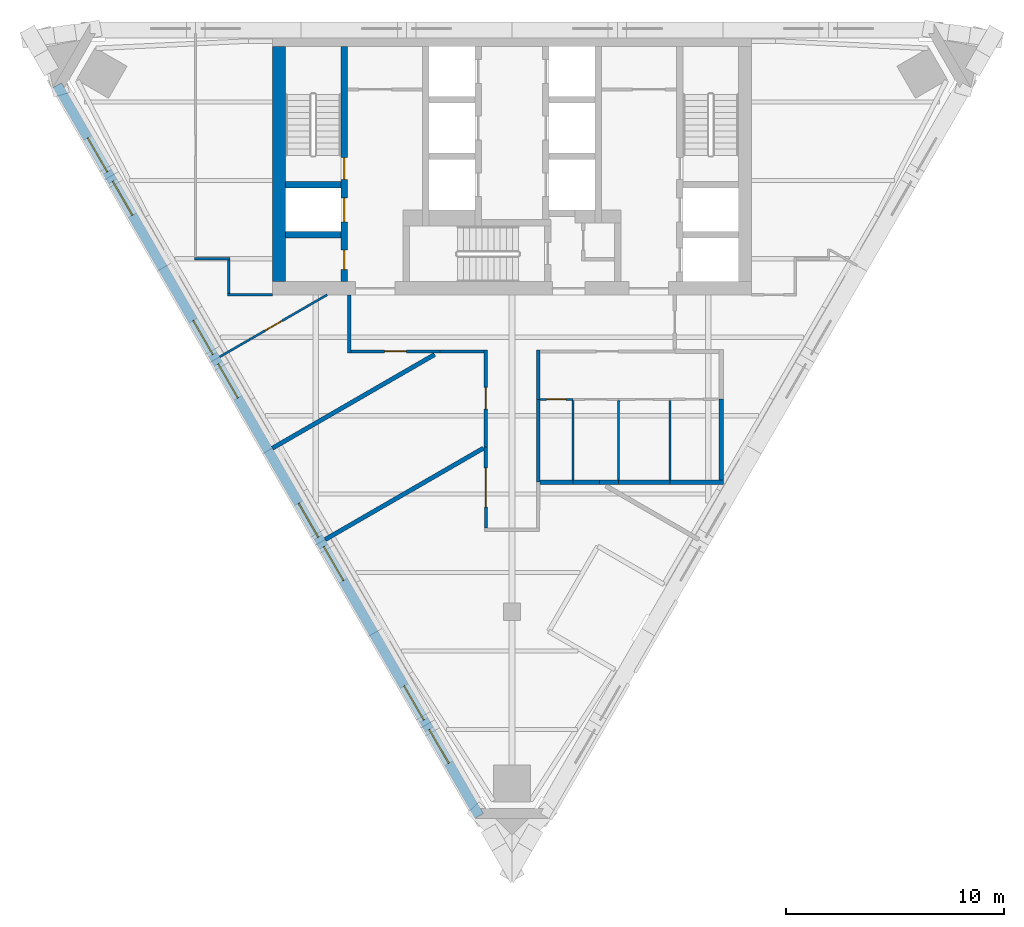
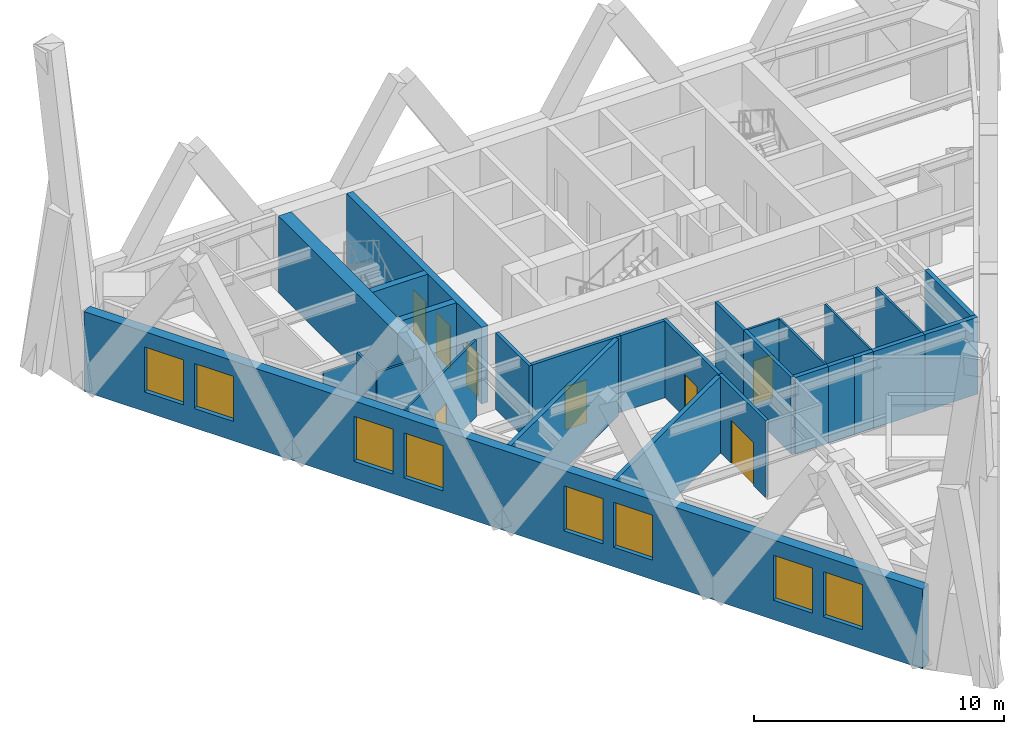
# One storey, part 3 of 7: 28 walls, 8 doors, 8 windows, 16 openings.
"""IFC4 building model written with IfcOpenShell, lengths in metres."""

from ifc_helpers import new_model, si_unit, direction, frame, frame_2d, origin, place, context, subcontext, project, spatial, polyline, rectangle, outline, extrude, material, layer, layer_set, type_object, element, fill, save


model = new_model("IFC4")

# Units and contexts
model_context = context("Model", 3, precision=1e-05, world=origin(), true_north=direction((0.0, 1.0)))
body_context = subcontext(model_context, "Body", "Model", "MODEL_VIEW")
ifc_project = project(units=[si_unit("LENGTHUNIT", "METRE"), si_unit("AREAUNIT", "SQUARE_METRE"), si_unit("VOLUMEUNIT", "CUBIC_METRE"), si_unit("PLANEANGLEUNIT", "RADIAN"), si_unit("MASSUNIT", "GRAM", prefix="KILO")], contexts=[model_context])

# Site, building, storey
site_placement = place(None, origin())
site = spatial("IfcSite", under=ifc_project, at=site_placement, CompositionType="ELEMENT")
building_placement = place(site_placement, origin())
building = spatial("IfcBuilding", under=site, at=building_placement, Name="Aloe Facet Convention Tower", CompositionType="ELEMENT")
storey_placement = place(building_placement, frame((0.0, 0.0, 211.39990234375)))
storey = spatial("IfcBuildingStorey", under=building, at=storey_placement, Name="L53", CompositionType="ELEMENT", Elevation=211.39990234375)

# Walls
ifc_material_1 = material(Name="Concrete C50/60", Category="concrete")
ifc_layer_1 = layer(ifc_material_1, 0.300048828125)
ifc_layer_set_1 = layer_set([ifc_layer_1], Name="CR-W-RC300-C5060")
wall_type_1 = type_object("IfcWallType", Name="CR-W-RC300-C5060", PredefinedType="SOLIDWALL", material=ifc_layer_set_1)
for number, where, z_axis, x_axis, name in (
    (1, (69.60009765625, 127.60009765625, 0.0), (0.0, 0.0, 1.0), (1.0, 0.0, 0.0), "Core wall L53-004"),
    (2, (69.60009765625, 125.300048828125, 0.0), (0.0, 0.0, 1.0), (1.0, 0.0, 0.0), "Core wall L53-005"),
):
    element("IfcWall", number, at=place(storey_placement, frame(where, z_axis=z_axis, x_axis=x_axis)), inside=storey, type_object=wall_type_1, Name=name, PredefinedType="SOLIDWALL", context=body_context, shape_type="SweptSolid", body=[
        extrude(rectangle(XDim=2.5498046875, YDim=0.300048828125, at=frame_2d((1.27490234375, 0.0))), origin(), (0.0, 0.0, 1.0), 3.75),
    ])

# Wall, openings, doors
wall_1_placement = place(storey_placement, frame((72.300048828125, 133.949951171875, 0.0), z_axis=(0.0, 0.0, 1.0), x_axis=(0.0, -1.0, 0.0)))
wall_1 = element("IfcWall", 3, at=wall_1_placement, inside=storey, type_object=wall_type_1, Name="Core wall L53-006", PredefinedType="SOLIDWALL", context=body_context, shape_type="SweptSolid", body=[
    extrude(rectangle(XDim=10.800048828125, YDim=0.300048828125, at=frame_2d((5.39990234375, 0.0))), origin(), (0.0, 0.0, 1.0), 3.75),
])
opening_1_placement = place(wall_1_placement, frame((6.949951171875, 0.0, 0.0)))
opening_1 = element("IfcOpeningElement", 4, at=opening_1_placement, cuts=wall_1, Name="Opening LD-FF1-L53", PredefinedType="OPENING", context=body_context, shape_type="SweptSolid", body=[
    extrude(rectangle(XDim=1.10009765625, YDim=2.10009765625, at=frame_2d((0.550048828125, 1.050048828125))), frame((0.0, 0.16015625, 0.0), z_axis=(0.0, -1.0, 0.0), x_axis=(1.0, 0.0, 0.0)), (0.0, 0.0, 1.0), 0.320068359375),
])
opening_2_placement = place(wall_1_placement, frame((9.35009765625, 0.0, 0.0)))
opening_2 = element("IfcOpeningElement", 5, at=opening_2_placement, cuts=wall_1, Name="Opening L53-CD15", PredefinedType="OPENING", context=body_context, shape_type="SweptSolid", body=[
    extrude(rectangle(XDim=0.89990234375, YDim=2.10009765625, at=frame_2d((0.449951171875, 1.050048828125))), frame((0.0, 0.16015625, 0.0), z_axis=(0.0, -1.0, 0.0), x_axis=(1.0, 0.0, 0.0)), (0.0, 0.0, 1.0), 0.320068359375),
])
opening_3_placement = place(wall_1_placement, frame((5.10009765625, 0.0, 0.0)))
opening_3 = element("IfcOpeningElement", 6, at=opening_3_placement, cuts=wall_1, Name="Opening L53-CD16", PredefinedType="OPENING", context=body_context, shape_type="SweptSolid", body=[
    extrude(rectangle(XDim=1.0, YDim=2.10009765625, at=frame_2d((0.5, 1.050048828125))), frame((0.0, 0.16015625, 0.0), z_axis=(0.0, -1.0, 0.0), x_axis=(1.0, 0.0, 0.0)), (0.0, 0.0, 1.0), 0.320068359375),
])
ifc_material_2 = material(Name="Steel fire-resisting door set FD60", Category="steel")
door_type_1 = type_object("IfcDoorType", Name="CR-D-ROOM-900-FD60-SLEFT", OperationType="SINGLE_SWING_LEFT", PredefinedType="DOOR", material=ifc_material_2)
door_1_placement = place(opening_2_placement, origin())
door_1 = element("IfcDoor", 7, at=door_1_placement, inside=storey, type_object=door_type_1, Name="Core door L53-CD15", OperationType="SINGLE_SWING_LEFT", OverallHeight=2.10009765625, OverallWidth=0.89990234375, PredefinedType="DOOR", context=body_context, shape_type="SweptSolid", body=[
    extrude(rectangle(XDim=0.89990234375, YDim=2.10009765625, at=frame_2d((0.449951171875, 1.050048828125))), frame((0.0, 0.02490234375, 0.0), z_axis=(0.0, -1.0, 0.0), x_axis=(1.0, 0.0, 0.0)), (0.0, 0.0, 1.0), 0.050048828125),
])
fill(opening_2, door_1)
ifc_material_3 = material(Name="Steel fire-resisting door set FD120", Category="steel")
door_type_2 = type_object("IfcDoorType", Name="CR-D-STAIR-1000-FD120-SRIGHT", OperationType="SINGLE_SWING_RIGHT", PredefinedType="DOOR", material=ifc_material_3)
door_2_placement = place(opening_3_placement, origin())
door_2 = element("IfcDoor", 8, at=door_2_placement, inside=storey, type_object=door_type_2, Name="Core door L53-CD16", OperationType="SINGLE_SWING_RIGHT", OverallHeight=2.10009765625, OverallWidth=1.0, PredefinedType="DOOR", context=body_context, shape_type="SweptSolid", body=[
    extrude(rectangle(XDim=1.0, YDim=2.10009765625, at=frame_2d((0.5, 1.050048828125))), frame((0.0, 0.02490234375, 0.0), z_axis=(0.0, -1.0, 0.0), x_axis=(1.0, 0.0, 0.0)), (0.0, 0.0, 1.0), 0.050048828125),
])
fill(opening_3, door_2)
ifc_material_4 = material(Name="Stainless steel sliding landing door", Category="steel")
door_type_3 = type_object("IfcDoorType", Name="CR-LD-1100-FD120-_LEFT", OperationType="SLIDING_TO_LEFT", PredefinedType="DOOR", material=ifc_material_4)
door_3_placement = place(opening_1_placement, origin())
door_3 = element("IfcDoor", 9, at=door_3_placement, inside=storey, type_object=door_type_3, Name="Landing door FF1 L53", OperationType="SLIDING_TO_LEFT", OverallHeight=2.10009765625, OverallWidth=1.10009765625, PredefinedType="DOOR", context=body_context, shape_type="SweptSolid", body=[
    extrude(rectangle(XDim=1.10009765625, YDim=2.10009765625, at=frame_2d((0.550048828125, 1.050048828125))), frame((0.0, 0.02490234375, 0.0), z_axis=(0.0, -1.0, 0.0), x_axis=(1.0, 0.0, 0.0)), (0.0, 0.0, 1.0), 0.050048828125),
])
fill(opening_1, door_3)

# Wall
ifc_material_5 = material(Name="Concrete C50/60", Category="concrete")
ifc_layer_2 = layer(ifc_material_5, 0.60009765625)
ifc_layer_set_2 = layer_set([ifc_layer_2], Name="CR-W-RC600-C5060")
wall_type_2 = type_object("IfcWallType", Name="CR-W-RC600-C5060", PredefinedType="SOLIDWALL", material=ifc_layer_set_2)
wall_2_placement = place(storey_placement, frame((69.300048828125, 133.949951171875, 0.0), z_axis=(0.0, 0.0, 1.0), x_axis=(0.0, -1.0, 0.0)))
element("IfcWall", 10, at=wall_2_placement, inside=storey, type_object=wall_type_2, Name="Core wall L53-002", PredefinedType="SOLIDWALL", context=body_context, shape_type="SweptSolid", body=[
    extrude(rectangle(XDim=10.800048828125, YDim=0.60009765625, at=frame_2d((5.39990234375, 0.0))), origin(), (0.0, 0.0, 1.0), 3.75),
])

# Wall, openings, windows
ifc_material_6 = material(Name="Precast concrete C40/50", Category="concrete")
ifc_layer_3 = layer(ifc_material_6, 0.449951171875)
ifc_layer_set_3 = layer_set([ifc_layer_3], Name="EV-WALL-STONE")
wall_type_3 = type_object("IfcWallType", Name="EV-WALL-STONE", PredefinedType="SOLIDWALL", material=ifc_layer_set_3)
wall_3_placement = place(storey_placement, frame((59.130126953125, 132.16796875, -0.14990234375), z_axis=(0.0, 0.0, 1.0), x_axis=(0.500002199942, -0.866024133644, 0.0)))
wall_3 = element("IfcWall", 11, at=wall_3_placement, inside=storey, type_object=wall_type_3, Name="EW-L53-W01", PredefinedType="SOLIDWALL", context=body_context, shape_type="SweptSolid", body=[
    extrude(outline(polyline([(38.729248046875, 0.0), (38.729248046875, 3.89990234375), (0.0, 3.89990234375), (0.0, 0.0), (38.729248046875, 0.0)])), frame((0.0, 0.22509765625, 0.0), z_axis=(0.0, -1.0, 0.0), x_axis=(1.0, 0.0, 0.0)), (0.0, 0.0, 1.0), 0.449951171875),
])
opening_4_placement = place(wall_3_placement, frame((2.791259765625, 0.0, 0.949951171875)))
opening_4 = element("IfcOpeningElement", 12, at=opening_4_placement, cuts=wall_3, Name="Opening W-L53-W01", PredefinedType="OPENING", context=body_context, shape_type="SweptSolid", body=[
    extrude(rectangle(XDim=1.800048828125, YDim=2.199951171875, at=frame_2d((0.89990234375, 1.10009765625))), frame((0.0, 0.23486328125, 0.0), z_axis=(0.0, -1.0, 0.0), x_axis=(1.0, 0.0, 0.0)), (0.0, 0.0, 1.0), 0.469970703125),
])
opening_5_placement = place(wall_3_placement, frame((5.091064453125, 0.0, 0.949951171875)))
opening_5 = element("IfcOpeningElement", 13, at=opening_5_placement, cuts=wall_3, Name="Opening W-L53-W02", PredefinedType="OPENING", context=body_context, shape_type="SweptSolid", body=[
    extrude(rectangle(XDim=1.800048828125, YDim=2.199951171875, at=frame_2d((0.89990234375, 1.10009765625))), frame((0.0, 0.23486328125, 0.0), z_axis=(0.0, -1.0, 0.0), x_axis=(1.0, 0.0, 0.0)), (0.0, 0.0, 1.0), 0.469970703125),
])
opening_6_placement = place(wall_3_placement, frame((12.473388671875, 0.0, 0.949951171875)))
opening_6 = element("IfcOpeningElement", 14, at=opening_6_placement, cuts=wall_3, Name="Opening W-L53-W03", PredefinedType="OPENING", context=body_context, shape_type="SweptSolid", body=[
    extrude(rectangle(XDim=1.800048828125, YDim=2.199951171875, at=frame_2d((0.89990234375, 1.10009765625))), frame((0.0, 0.23486328125, 0.0), z_axis=(0.0, -1.0, 0.0), x_axis=(1.0, 0.0, 0.0)), (0.0, 0.0, 1.0), 0.469970703125),
])
opening_7_placement = place(wall_3_placement, frame((14.7734375, 0.0, 0.949951171875)))
opening_7 = element("IfcOpeningElement", 15, at=opening_7_placement, cuts=wall_3, Name="Opening W-L53-W04", PredefinedType="OPENING", context=body_context, shape_type="SweptSolid", body=[
    extrude(rectangle(XDim=1.800048828125, YDim=2.199951171875, at=frame_2d((0.89990234375, 1.10009765625))), frame((0.0, 0.23486328125, 0.0), z_axis=(0.0, -1.0, 0.0), x_axis=(1.0, 0.0, 0.0)), (0.0, 0.0, 1.0), 0.469970703125),
])
opening_8_placement = place(wall_3_placement, frame((22.15576171875, 0.0, 0.949951171875)))
opening_8 = element("IfcOpeningElement", 16, at=opening_8_placement, cuts=wall_3, Name="Opening W-L53-W05", PredefinedType="OPENING", context=body_context, shape_type="SweptSolid", body=[
    extrude(rectangle(XDim=1.800048828125, YDim=2.199951171875, at=frame_2d((0.89990234375, 1.10009765625))), frame((0.0, 0.23486328125, 0.0), z_axis=(0.0, -1.0, 0.0), x_axis=(1.0, 0.0, 0.0)), (0.0, 0.0, 1.0), 0.469970703125),
])
opening_9_placement = place(wall_3_placement, frame((24.455810546875, 0.0, 0.949951171875)))
opening_9 = element("IfcOpeningElement", 17, at=opening_9_placement, cuts=wall_3, Name="Opening W-L53-W06", PredefinedType="OPENING", context=body_context, shape_type="SweptSolid", body=[
    extrude(rectangle(XDim=1.800048828125, YDim=2.199951171875, at=frame_2d((0.89990234375, 1.10009765625))), frame((0.0, 0.23486328125, 0.0), z_axis=(0.0, -1.0, 0.0), x_axis=(1.0, 0.0, 0.0)), (0.0, 0.0, 1.0), 0.469970703125),
])
opening_10_placement = place(wall_3_placement, frame((31.838134765625, 0.0, 0.949951171875)))
opening_10 = element("IfcOpeningElement", 18, at=opening_10_placement, cuts=wall_3, Name="Opening W-L53-W07", PredefinedType="OPENING", context=body_context, shape_type="SweptSolid", body=[
    extrude(rectangle(XDim=1.800048828125, YDim=2.199951171875, at=frame_2d((0.89990234375, 1.10009765625))), frame((0.0, 0.23486328125, 0.0), z_axis=(0.0, -1.0, 0.0), x_axis=(1.0, 0.0, 0.0)), (0.0, 0.0, 1.0), 0.469970703125),
])
opening_11_placement = place(wall_3_placement, frame((34.13818359375, 0.0, 0.949951171875)))
opening_11 = element("IfcOpeningElement", 19, at=opening_11_placement, cuts=wall_3, Name="Opening W-L53-W08", PredefinedType="OPENING", context=body_context, shape_type="SweptSolid", body=[
    extrude(rectangle(XDim=1.800048828125, YDim=2.199951171875, at=frame_2d((0.89990234375, 1.10009765625))), frame((0.0, 0.23486328125, 0.0), z_axis=(0.0, -1.0, 0.0), x_axis=(1.0, 0.0, 0.0)), (0.0, 0.0, 1.0), 0.469970703125),
])
ifc_material_7 = material(Name="Aluminium frame, clear double glazing", Category="aluminium")
window_type = type_object("IfcWindowType", Name="EV-WIN-O18", PartitioningType="SINGLE_PANEL", PredefinedType="WINDOW", material=ifc_material_7)
window_1_placement = place(opening_4_placement, origin())
window_1 = element("IfcWindow", 20, at=window_1_placement, inside=storey, type_object=window_type, Name="W-L53-W01", OverallHeight=2.199951171875, OverallWidth=1.800048828125, PartitioningType="SINGLE_PANEL", PredefinedType="WINDOW", context=body_context, shape_type="SweptSolid", body=[
    extrude(rectangle(XDim=1.800048828125, YDim=2.199951171875, at=frame_2d((0.89990234375, 1.10009765625))), frame((0.0, 0.030029296875, 0.0), z_axis=(0.0, -1.0, 0.0), x_axis=(1.0, 0.0, 0.0)), (0.0, 0.0, 1.0), 0.06005859375),
])
fill(opening_4, window_1)
window_2_placement = place(opening_5_placement, origin())
window_2 = element("IfcWindow", 21, at=window_2_placement, inside=storey, type_object=window_type, Name="W-L53-W02", OverallHeight=2.199951171875, OverallWidth=1.800048828125, PartitioningType="SINGLE_PANEL", PredefinedType="WINDOW", context=body_context, shape_type="SweptSolid", body=[
    extrude(rectangle(XDim=1.800048828125, YDim=2.199951171875, at=frame_2d((0.89990234375, 1.10009765625))), frame((0.0, 0.030029296875, 0.0), z_axis=(0.0, -1.0, 0.0), x_axis=(1.0, 0.0, 0.0)), (0.0, 0.0, 1.0), 0.06005859375),
])
fill(opening_5, window_2)
window_3_placement = place(opening_6_placement, origin())
window_3 = element("IfcWindow", 22, at=window_3_placement, inside=storey, type_object=window_type, Name="W-L53-W03", OverallHeight=2.199951171875, OverallWidth=1.800048828125, PartitioningType="SINGLE_PANEL", PredefinedType="WINDOW", context=body_context, shape_type="SweptSolid", body=[
    extrude(rectangle(XDim=1.800048828125, YDim=2.199951171875, at=frame_2d((0.89990234375, 1.10009765625))), frame((0.0, 0.030029296875, 0.0), z_axis=(0.0, -1.0, 0.0), x_axis=(1.0, 0.0, 0.0)), (0.0, 0.0, 1.0), 0.06005859375),
])
fill(opening_6, window_3)
window_4_placement = place(opening_7_placement, origin())
window_4 = element("IfcWindow", 23, at=window_4_placement, inside=storey, type_object=window_type, Name="W-L53-W04", OverallHeight=2.199951171875, OverallWidth=1.800048828125, PartitioningType="SINGLE_PANEL", PredefinedType="WINDOW", context=body_context, shape_type="SweptSolid", body=[
    extrude(rectangle(XDim=1.800048828125, YDim=2.199951171875, at=frame_2d((0.89990234375, 1.10009765625))), frame((0.0, 0.030029296875, 0.0), z_axis=(0.0, -1.0, 0.0), x_axis=(1.0, 0.0, 0.0)), (0.0, 0.0, 1.0), 0.06005859375),
])
fill(opening_7, window_4)
window_5_placement = place(opening_8_placement, origin())
window_5 = element("IfcWindow", 24, at=window_5_placement, inside=storey, type_object=window_type, Name="W-L53-W05", OverallHeight=2.199951171875, OverallWidth=1.800048828125, PartitioningType="SINGLE_PANEL", PredefinedType="WINDOW", context=body_context, shape_type="SweptSolid", body=[
    extrude(rectangle(XDim=1.800048828125, YDim=2.199951171875, at=frame_2d((0.89990234375, 1.10009765625))), frame((0.0, 0.030029296875, 0.0), z_axis=(0.0, -1.0, 0.0), x_axis=(1.0, 0.0, 0.0)), (0.0, 0.0, 1.0), 0.06005859375),
])
fill(opening_8, window_5)
window_6_placement = place(opening_9_placement, origin())
window_6 = element("IfcWindow", 25, at=window_6_placement, inside=storey, type_object=window_type, Name="W-L53-W06", OverallHeight=2.199951171875, OverallWidth=1.800048828125, PartitioningType="SINGLE_PANEL", PredefinedType="WINDOW", context=body_context, shape_type="SweptSolid", body=[
    extrude(rectangle(XDim=1.800048828125, YDim=2.199951171875, at=frame_2d((0.89990234375, 1.10009765625))), frame((0.0, 0.030029296875, 0.0), z_axis=(0.0, -1.0, 0.0), x_axis=(1.0, 0.0, 0.0)), (0.0, 0.0, 1.0), 0.06005859375),
])
fill(opening_9, window_6)
window_7_placement = place(opening_10_placement, origin())
window_7 = element("IfcWindow", 26, at=window_7_placement, inside=storey, type_object=window_type, Name="W-L53-W07", OverallHeight=2.199951171875, OverallWidth=1.800048828125, PartitioningType="SINGLE_PANEL", PredefinedType="WINDOW", context=body_context, shape_type="SweptSolid", body=[
    extrude(rectangle(XDim=1.800048828125, YDim=2.199951171875, at=frame_2d((0.89990234375, 1.10009765625))), frame((0.0, 0.030029296875, 0.0), z_axis=(0.0, -1.0, 0.0), x_axis=(1.0, 0.0, 0.0)), (0.0, 0.0, 1.0), 0.06005859375),
])
fill(opening_10, window_7)
window_8_placement = place(opening_11_placement, origin())
window_8 = element("IfcWindow", 27, at=window_8_placement, inside=storey, type_object=window_type, Name="W-L53-W08", OverallHeight=2.199951171875, OverallWidth=1.800048828125, PartitioningType="SINGLE_PANEL", PredefinedType="WINDOW", context=body_context, shape_type="SweptSolid", body=[
    extrude(rectangle(XDim=1.800048828125, YDim=2.199951171875, at=frame_2d((0.89990234375, 1.10009765625))), frame((0.0, 0.030029296875, 0.0), z_axis=(0.0, -1.0, 0.0), x_axis=(1.0, 0.0, 0.0)), (0.0, 0.0, 1.0), 0.06005859375),
])
fill(opening_11, window_8)

# Wall, opening, door
ifc_material_8 = material(Name="Gypsum board partition on steel studs", Category="steel")
ifc_layer_4 = layer(ifc_material_8, 0.14990234375)
ifc_layer_set_4 = layer_set([ifc_layer_4], Name="IN-W-CORR")
wall_type_4 = type_object("IfcWallType", Name="IN-W-CORR", PredefinedType="PARTITIONING", material=ifc_layer_set_4)
wall_4_placement = place(storey_placement, frame((78.800048828125, 115.573974609375, 0.0), z_axis=(0.0, 0.0, 1.0), x_axis=(0.0, 1.0, 0.0)))
wall_4 = element("IfcWall", 28, at=wall_4_placement, inside=storey, type_object=wall_type_4, Name="Partition L53-W012", PredefinedType="PARTITIONING", context=body_context, shape_type="SweptSolid", body=[
    extrude(rectangle(XDim=4.450927734375, YDim=0.14990234375, at=frame_2d((2.2255859375, 0.0))), origin(), (0.0, 0.0, 1.0), 3.75),
])
opening_12_placement = place(wall_4_placement, frame((1.7255859375, 0.0, 0.0)))
opening_12 = element("IfcOpeningElement", 29, at=opening_12_placement, cuts=wall_4, Name="Opening L53-010", PredefinedType="OPENING", context=body_context, shape_type="SweptSolid", body=[
    extrude(rectangle(XDim=1.0, YDim=2.10009765625, at=frame_2d((0.5, 1.050048828125))), frame((0.0, 0.0849609375, 0.0), z_axis=(0.0, -1.0, 0.0), x_axis=(1.0, 0.0, 0.0)), (0.0, 0.0, 1.0), 0.169921875),
])
ifc_material_9 = material(Name="Timber door FD30S with vision panel", Category="wood")
door_type_4 = type_object("IfcDoorType", Name="IN-OFF-D-ENTRY", OperationType="SINGLE_SWING_LEFT", PredefinedType="DOOR", material=ifc_material_9)
door_4_placement = place(opening_12_placement, origin())
door_4 = element("IfcDoor", 30, at=door_4_placement, inside=storey, type_object=door_type_4, Name="Door L53-010", OperationType="SINGLE_SWING_LEFT", OverallHeight=2.10009765625, OverallWidth=1.0, PredefinedType="DOOR", context=body_context, shape_type="SweptSolid", body=[
    extrude(rectangle(XDim=1.0, YDim=2.10009765625, at=frame_2d((0.5, 1.050048828125))), frame((0.0, 0.02490234375, 0.0), z_axis=(0.0, -1.0, 0.0), x_axis=(1.0, 0.0, 0.0)), (0.0, 0.0, 1.0), 0.050048828125),
])
fill(opening_12, door_4)

wall_5_placement = place(storey_placement, frame((78.802001953125, 111.841796875, 0.0), z_axis=(0.0, 0.0, 1.0), x_axis=(-0.000523320397, 0.999999863068, 0.0)))
wall_5 = element("IfcWall", 31, at=wall_5_placement, inside=storey, type_object=wall_type_4, Name="Partition L53-W013", PredefinedType="PARTITIONING", context=body_context, shape_type="SweptSolid", body=[
    extrude(rectangle(XDim=3.732177734375, YDim=0.14990234375, at=frame_2d((1.8662109375, 0.0))), origin(), (0.0, 0.0, 1.0), 3.75),
])
opening_13_placement = place(wall_5_placement, frame((0.966064453125, 0.0, 0.0)))
opening_13 = element("IfcOpeningElement", 32, at=opening_13_placement, cuts=wall_5, Name="Opening L53-012", PredefinedType="OPENING", context=body_context, shape_type="SweptSolid", body=[
    extrude(rectangle(XDim=1.800048828125, YDim=2.10009765625, at=frame_2d((0.89990234375, 1.050048828125))), frame((0.0, 0.0849609375, 0.0), z_axis=(0.0, -1.0, 0.0), x_axis=(1.0, 0.0, 0.0)), (0.0, 0.0, 1.0), 0.169921875),
])
ifc_material_10 = material(Name="Glazed timber door pair FD30S", Category="wood")
door_type_5 = type_object("IfcDoorType", Name="IN-OFF-D-SUITE", OperationType="DOUBLE_DOOR_SINGLE_SWING", PredefinedType="DOOR", material=ifc_material_10)
door_5_placement = place(opening_13_placement, origin())
door_5 = element("IfcDoor", 33, at=door_5_placement, inside=storey, type_object=door_type_5, Name="Door L53-012", OperationType="SINGLE_SWING_LEFT", OverallHeight=2.10009765625, OverallWidth=1.800048828125, PredefinedType="DOOR", context=body_context, shape_type="SweptSolid", body=[
    extrude(rectangle(XDim=1.800048828125, YDim=2.10009765625, at=frame_2d((0.89990234375, 1.050048828125))), frame((0.0, 0.02490234375, 0.0), z_axis=(0.0, -1.0, 0.0), x_axis=(1.0, 0.0, 0.0)), (0.0, 0.0, 1.0), 0.050048828125),
])
fill(opening_13, door_5)

# Walls
wall_6_placement = place(storey_placement, frame((81.199951171875, 113.949951171875, 0.0), z_axis=(0.0, 0.0, 1.0), x_axis=(0.0, 1.0, 0.0)))
element("IfcWall", 34, at=wall_6_placement, inside=storey, type_object=wall_type_4, Name="Partition L53-W022", PredefinedType="PARTITIONING", context=body_context, shape_type="SweptSolid", body=[
    extrude(rectangle(XDim=3.800048828125, YDim=0.14990234375, at=frame_2d((1.89990234375, 0.0))), origin(), (0.0, 0.0, 1.0), 3.75),
])
wall_7_placement = place(storey_placement, frame((72.52490234375, 119.875, 0.0), z_axis=(0.0, 0.0, 1.0), x_axis=(0.0, 1.0, 0.0)))
element("IfcWall", 35, at=wall_7_placement, inside=storey, type_object=wall_type_4, Name="Partition L53-W024", PredefinedType="PARTITIONING", context=body_context, shape_type="SweptSolid", body=[
    extrude(rectangle(XDim=2.675048828125, YDim=0.14990234375, at=frame_2d((1.33740234375, 0.0))), origin(), (0.0, 0.0, 1.0), 3.75),
])

# Wall, opening, door
wall_8_placement = place(storey_placement, frame((72.60009765625, 119.949951171875, 0.0), z_axis=(0.0, 0.0, 1.0), x_axis=(1.0, 0.0, 0.0)))
wall_8 = element("IfcWall", 36, at=wall_8_placement, inside=storey, type_object=wall_type_4, Name="Partition L53-W025", PredefinedType="PARTITIONING", context=body_context, shape_type="SweptSolid", body=[
    extrude(rectangle(XDim=4.09716796875, YDim=0.14990234375, at=frame_2d((2.048583984375, 0.0))), origin(), (0.0, 0.0, 1.0), 3.75),
])
opening_14_placement = place(wall_8_placement, frame((1.548583984375, 0.0, 0.0)))
opening_14 = element("IfcOpeningElement", 37, at=opening_14_placement, cuts=wall_8, Name="Opening L53-009", PredefinedType="OPENING", context=body_context, shape_type="SweptSolid", body=[
    extrude(rectangle(XDim=1.0, YDim=2.10009765625, at=frame_2d((0.5, 1.050048828125))), frame((0.0, 0.0849609375, 0.0), z_axis=(0.0, -1.0, 0.0), x_axis=(1.0, 0.0, 0.0)), (0.0, 0.0, 1.0), 0.169921875),
])
door_6_placement = place(opening_14_placement, origin())
door_6 = element("IfcDoor", 38, at=door_6_placement, inside=storey, type_object=door_type_4, Name="Door L53-009", OperationType="SINGLE_SWING_LEFT", OverallHeight=2.10009765625, OverallWidth=1.0, PredefinedType="DOOR", context=body_context, shape_type="SweptSolid", body=[
    extrude(rectangle(XDim=1.0, YDim=2.10009765625, at=frame_2d((0.5, 1.050048828125))), frame((0.0, 0.02490234375, 0.0), z_axis=(0.0, -1.0, 0.0), x_axis=(1.0, 0.0, 0.0)), (0.0, 0.0, 1.0), 0.050048828125),
])
fill(opening_14, door_6)

# Walls
wall_9_placement = place(storey_placement, frame((76.697265625, 119.949951171875, 0.0), z_axis=(0.0, 0.0, 1.0), x_axis=(1.0, 0.0, 0.0)))
element("IfcWall", 39, at=wall_9_placement, inside=storey, type_object=wall_type_4, Name="Partition L53-W026", PredefinedType="PARTITIONING", context=body_context, shape_type="SweptSolid", body=[
    extrude(rectangle(XDim=2.02783203125, YDim=0.14990234375, at=frame_2d((1.013916015625, 0.0))), origin(), (0.0, 0.0, 1.0), 3.75),
])
wall_10_placement = place(storey_placement, frame((81.199951171875, 117.75, 0.0), z_axis=(0.0, 0.0, 1.0), x_axis=(0.0, 1.0, 0.0)))
element("IfcWall", 40, at=wall_10_placement, inside=storey, type_object=wall_type_4, Name="Partition L53-W027", PredefinedType="PARTITIONING", context=body_context, shape_type="SweptSolid", body=[
    extrude(rectangle(XDim=2.27490234375, YDim=0.14990234375, at=frame_2d((1.137451171875, 0.0))), origin(), (0.0, 0.0, 1.0), 3.75),
])
ifc_material_11 = material(Name="Gypsum board partition on steel studs", Category="steel")
ifc_layer_5 = layer(ifc_material_11, 0.10009765625)
ifc_layer_set_5 = layer_set([ifc_layer_5], Name="IN-W-PART")
wall_type_5 = type_object("IfcWallType", Name="IN-W-PART", PredefinedType="PARTITIONING", material=ifc_layer_set_5)
wall_11_placement = place(storey_placement, frame((82.8056640625, 114.050048828125, 0.0), z_axis=(0.0, 0.0, 1.0), x_axis=(-0.002608686776, 0.999996597371, 0.0)))
element("IfcWall", 41, at=wall_11_placement, inside=storey, type_object=wall_type_5, Name="Partition L53-W015", PredefinedType="PARTITIONING", context=body_context, shape_type="SweptSolid", body=[
    extrude(rectangle(XDim=3.64990234375, YDim=0.10009765625, at=frame_2d((1.824951171875, 0.0))), origin(), (0.0, 0.0, 1.0), 3.75),
])

# Wall, opening, door
wall_12_placement = place(storey_placement, frame((81.27490234375, 117.75, 0.0), z_axis=(0.0, 0.0, 1.0), x_axis=(1.0, 0.0, 0.0)))
wall_12 = element("IfcWall", 42, at=wall_12_placement, inside=storey, type_object=wall_type_5, Name="Partition L53-W016", PredefinedType="PARTITIONING", context=body_context, shape_type="SweptSolid", body=[
    extrude(rectangle(XDim=1.52099609375, YDim=0.10009765625, at=frame_2d((0.760498046875, 0.0))), origin(), (0.0, 0.0, 1.0), 3.75),
])
opening_15_placement = place(wall_12_placement, frame((0.310546875, 0.0, 0.0)))
opening_15 = element("IfcOpeningElement", 43, at=opening_15_placement, cuts=wall_12, Name="Opening L53-002", PredefinedType="OPENING", context=body_context, shape_type="SweptSolid", body=[
    extrude(rectangle(XDim=0.89990234375, YDim=2.10009765625, at=frame_2d((0.449951171875, 1.050048828125))), frame((0.0, 0.06005859375, 0.0), z_axis=(0.0, -1.0, 0.0), x_axis=(1.0, 0.0, 0.0)), (0.0, 0.0, 1.0), 0.1201171875),
])
ifc_material_12 = material(Name="Timber door", Category="wood")
door_type_6 = type_object("IfcDoorType", Name="IN-OFF-D-ROOM", OperationType="SINGLE_SWING_LEFT", PredefinedType="DOOR", material=ifc_material_12)
door_7_placement = place(opening_15_placement, origin())
door_7 = element("IfcDoor", 44, at=door_7_placement, inside=storey, type_object=door_type_6, Name="Door L53-002", OperationType="SINGLE_SWING_LEFT", OverallHeight=2.10009765625, OverallWidth=0.89990234375, PredefinedType="DOOR", context=body_context, shape_type="SweptSolid", body=[
    extrude(rectangle(XDim=0.89990234375, YDim=2.10009765625, at=frame_2d((0.449951171875, 1.050048828125))), frame((0.0, 0.02490234375, 0.0), z_axis=(0.0, -1.0, 0.0), x_axis=(1.0, 0.0, 0.0)), (0.0, 0.0, 1.0), 0.050048828125),
])
fill(opening_15, door_7)

# Walls
for number, where, z_axis, x_axis, name in (
    (45, (84.88623046875, 114.050048828125, 0.0), (0.0, 0.0, 1.0), (0.002608686776, 0.999996597371, 0.0), "Partition L53-W017"),
    (46, (87.2578125, 114.050048828125, 0.0), (0.0, 0.0, 1.0), (-0.002675575707, 0.999996420641, 0.0), "Partition L53-W019"),
):
    element("IfcWall", number, at=place(storey_placement, frame(where, z_axis=z_axis, x_axis=x_axis)), inside=storey, type_object=wall_type_5, Name=name, PredefinedType="PARTITIONING", context=body_context, shape_type="SweptSolid", body=[
        extrude(rectangle(XDim=3.64990234375, YDim=0.10009765625, at=frame_2d((1.824951171875, 0.0))), origin(), (0.0, 0.0, 1.0), 3.75),
    ])

# Wall, opening, door
wall_13_placement = place(storey_placement, frame((66.5869140625, 119.702880859375, 0.0), z_axis=(0.0, 0.0, 1.0), x_axis=(0.866023511746, 0.500003277092, 0.0)))
wall_13 = element("IfcWall", 47, at=wall_13_placement, inside=storey, type_object=wall_type_5, Name="Partition L53-W023", PredefinedType="PARTITIONING", context=body_context, shape_type="SweptSolid", body=[
    extrude(rectangle(XDim=5.6943359375, YDim=0.10009765625, at=frame_2d((2.84716796875, 0.0))), origin(), (0.0, 0.0, 1.0), 3.75),
])
opening_16_placement = place(wall_13_placement, frame((2.397216796875, 0.0, 0.0)))
opening_16 = element("IfcOpeningElement", 48, at=opening_16_placement, cuts=wall_13, Name="Opening L53-008", PredefinedType="OPENING", context=body_context, shape_type="SweptSolid", body=[
    extrude(rectangle(XDim=0.89990234375, YDim=2.10009765625, at=frame_2d((0.449951171875, 1.050048828125))), frame((0.0, 0.06005859375, 0.0), z_axis=(0.0, -1.0, 0.0), x_axis=(1.0, 0.0, 0.0)), (0.0, 0.0, 1.0), 0.1201171875),
])
door_8_placement = place(opening_16_placement, origin())
door_8 = element("IfcDoor", 49, at=door_8_placement, inside=storey, type_object=door_type_6, Name="Door L53-008", OperationType="SINGLE_SWING_LEFT", OverallHeight=2.10009765625, OverallWidth=0.89990234375, PredefinedType="DOOR", context=body_context, shape_type="SweptSolid", body=[
    extrude(rectangle(XDim=0.89990234375, YDim=2.10009765625, at=frame_2d((0.449951171875, 1.050048828125))), frame((0.0, 0.02490234375, 0.0), z_axis=(0.0, -1.0, 0.0), x_axis=(1.0, 0.0, 0.0)), (0.0, 0.0, 1.0), 0.050048828125),
])
fill(opening_16, door_8)

# Walls
wall_14_placement = place(storey_placement, frame((66.951904296875, 122.550048828125, 0.0), z_axis=(0.0, 0.0, 1.0), x_axis=(1.0, 0.0, 0.0)))
element("IfcWall", 50, at=wall_14_placement, inside=storey, type_object=wall_type_5, Name="Partition L53-W030", PredefinedType="PARTITIONING", context=body_context, shape_type="SweptSolid", body=[
    extrude(rectangle(XDim=2.057861328125, YDim=0.10009765625, at=frame_2d((1.02880859375, 0.0))), origin(), (0.0, 0.0, 1.0), 3.75),
])
wall_15_placement = place(storey_placement, frame((65.428466796875, 124.199951171875, 0.0), z_axis=(0.0, 0.0, 1.0), x_axis=(1.0, 0.0, 0.0)))
element("IfcWall", 51, at=wall_15_placement, inside=storey, type_object=wall_type_5, Name="Partition L53-W034", PredefinedType="PARTITIONING", context=body_context, shape_type="SweptSolid", body=[
    extrude(rectangle(XDim=1.62158203125, YDim=0.10009765625, at=frame_2d((0.810791015625, 0.0))), origin(), (0.0, 0.0, 1.0), 3.280029296875),
])
wall_16_placement = place(storey_placement, frame((67.001953125, 122.60009765625, 0.0), z_axis=(0.0, 0.0, 1.0), x_axis=(-0.001260238445, 0.999999205899, 0.0)))
element("IfcWall", 52, at=wall_16_placement, inside=storey, type_object=wall_type_5, Name="Partition L53-W035", PredefinedType="PARTITIONING", context=body_context, shape_type="SweptSolid", body=[
    extrude(rectangle(XDim=1.5498046875, YDim=0.10009765625, at=frame_2d((0.77490234375, 0.0))), origin(), (0.0, 0.0, 1.0), 3.75),
])
ifc_material_13 = material(Name="Gypsum board partition on steel studs", Category="steel")
ifc_layer_6 = layer(ifc_material_13, 0.199951171875)
ifc_layer_set_6 = layer_set([ifc_layer_6], Name="IN-W-PARTY")
wall_type_6 = type_object("IfcWallType", Name="IN-W-PARTY", PredefinedType="PARTITIONING", material=ifc_layer_set_6)
wall_17_placement = place(storey_placement, frame((71.427978515625, 111.317626953125, 0.0), z_axis=(0.0, 0.0, 1.0), x_axis=(0.866016898545, 0.500014731218, 0.0)))
element("IfcWall", 53, at=wall_17_placement, inside=storey, type_object=wall_type_6, Name="Partition L53-W001", PredefinedType="PARTITIONING", context=body_context, shape_type="SweptSolid", body=[
    extrude(rectangle(XDim=8.387451171875, YDim=0.199951171875, at=frame_2d((4.19384765625, 0.0))), origin(), (0.0, 0.0, 1.0), 3.75),
])
wall_18_placement = place(storey_placement, frame((81.27490234375, 113.949951171875, 0.0), z_axis=(0.0, 0.0, 1.0), x_axis=(1.0, 0.0, 0.0)))
element("IfcWall", 54, at=wall_18_placement, inside=storey, type_object=wall_type_6, Name="Partition L53-W004", PredefinedType="PARTITIONING", context=body_context, shape_type="SweptSolid", body=[
    extrude(rectangle(XDim=1.531005859375, YDim=0.199951171875, at=frame_2d((0.765625, 0.0))), origin(), (0.0, 0.0, 1.0), 3.75),
])
wall_19_placement = place(storey_placement, frame((82.805908203125, 113.949951171875, 0.0), z_axis=(0.0, 0.0, 1.0), x_axis=(1.0, 0.0, 0.0)))
element("IfcWall", 55, at=wall_19_placement, inside=storey, type_object=wall_type_6, Name="Partition L53-W005", PredefinedType="PARTITIONING", context=body_context, shape_type="SweptSolid", body=[
    extrude(rectangle(XDim=1.206787109375, YDim=0.199951171875, at=frame_2d((0.603515625, 0.0))), origin(), (0.0, 0.0, 1.0), 3.75),
])
wall_20_placement = place(storey_placement, frame((84.0126953125, 113.949951171875, 0.0), z_axis=(0.0, 0.0, 1.0), x_axis=(1.0, 0.0, 0.0)))
element("IfcWall", 56, at=wall_20_placement, inside=storey, type_object=wall_type_6, Name="Partition L53-W007", PredefinedType="PARTITIONING", context=body_context, shape_type="SweptSolid", body=[
    extrude(rectangle(XDim=0.873291015625, YDim=0.199951171875, at=frame_2d((0.4365234375, 0.0))), origin(), (0.0, 0.0, 1.0), 3.75),
])
wall_21_placement = place(storey_placement, frame((84.885986328125, 113.949951171875, 0.0), z_axis=(0.0, 0.0, 1.0), x_axis=(1.0, 0.0, 0.0)))
element("IfcWall", 57, at=wall_21_placement, inside=storey, type_object=wall_type_6, Name="Partition L53-W008", PredefinedType="PARTITIONING", context=body_context, shape_type="SweptSolid", body=[
    extrude(rectangle(XDim=2.3720703125, YDim=0.199951171875, at=frame_2d((1.18603515625, 0.0))), origin(), (0.0, 0.0, 1.0), 3.75),
])
wall_22_placement = place(storey_placement, frame((87.258056640625, 113.949951171875, 0.0), z_axis=(0.0, 0.0, 1.0), x_axis=(1.0, 0.0, 0.0)))
element("IfcWall", 58, at=wall_22_placement, inside=storey, type_object=wall_type_6, Name="Partition L53-W009", PredefinedType="PARTITIONING", context=body_context, shape_type="SweptSolid", body=[
    extrude(rectangle(XDim=2.43994140625, YDim=0.199951171875, at=frame_2d((1.219970703125, 0.0))), origin(), (0.0, 0.0, 1.0), 3.75),
])
wall_23_placement = place(storey_placement, frame((89.59814453125, 114.050048828125, 0.0), z_axis=(0.0, 0.0, 1.0), x_axis=(0.000526454257, 0.999999861423, 0.0)))
element("IfcWall", 59, at=wall_23_placement, inside=storey, type_object=wall_type_6, Name="Partition L53-W010", PredefinedType="PARTITIONING", context=body_context, shape_type="SweptSolid", body=[
    extrude(rectangle(XDim=3.7099609375, YDim=0.199951171875, at=frame_2d((1.85498046875, 0.0))), origin(), (0.0, 0.0, 1.0), 3.75),
])
wall_24_placement = place(storey_placement, frame((69.00732421875, 115.51025390625, 0.0), z_axis=(0.0, 0.0, 1.0), x_axis=(0.866033739143, 0.499985562458, 0.0)))
element("IfcWall", 60, at=wall_24_placement, inside=storey, type_object=wall_type_6, Name="Partition L53-W011", PredefinedType="PARTITIONING", context=body_context, shape_type="SweptSolid", body=[
    extrude(rectangle(XDim=8.594482421875, YDim=0.199951171875, at=frame_2d((4.29736328125, 0.0))), origin(), (0.0, 0.0, 1.0), 3.75),
])

save(model, "model.ifc")
